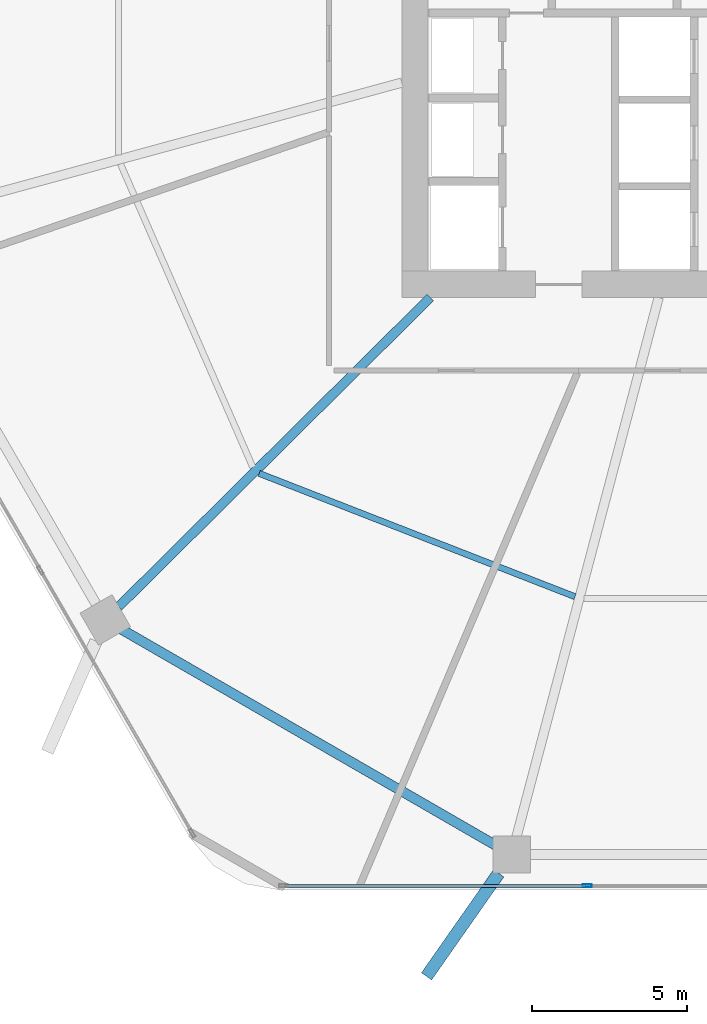
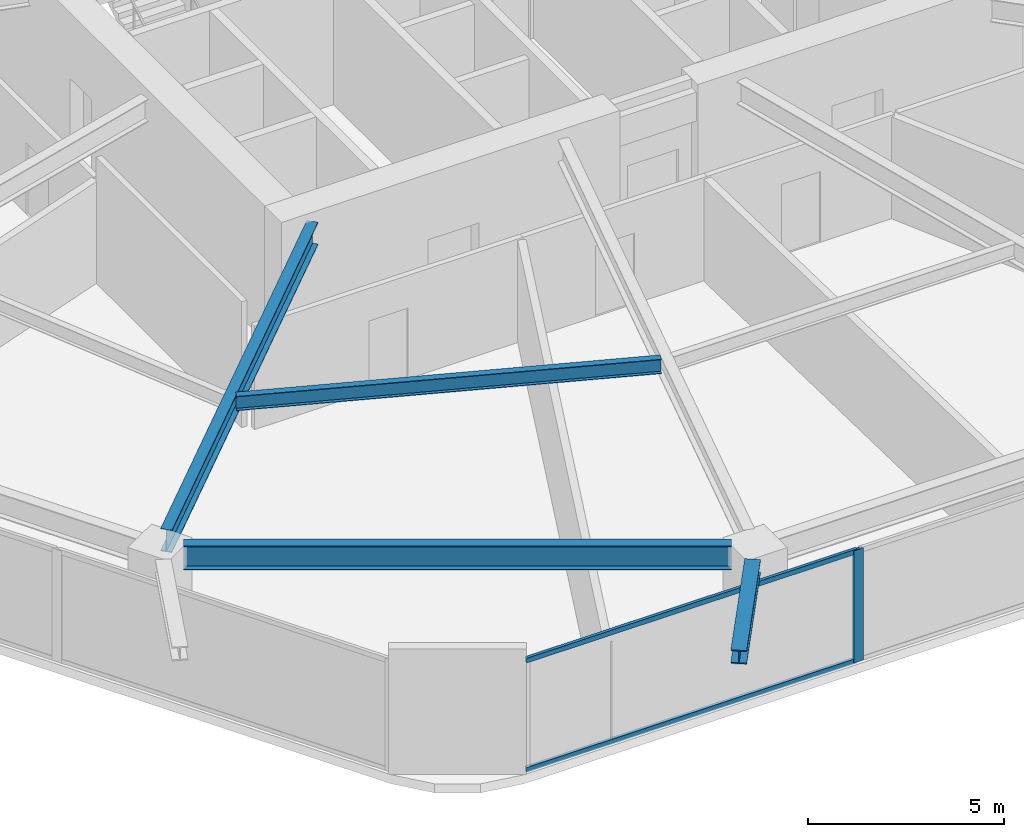
# One storey, part 3 of 25: 4 beams, 3 members, 1 element without a shape of its own.
"""IFC4 building model written with IfcOpenShell, lengths in metres."""

from ifc_helpers import new_model, si_unit, direction, frame, origin, origin_2d, place, context, subcontext, project, spatial, hollow_rectangle, i_section, extrude, material, material_profile, profile_set, type_object, element, aggregate, save


model = new_model("IFC4")

# Units and contexts
model_context = context("Model", 3, precision=1e-05, world=origin(), true_north=direction((0.0, 1.0)))
body_context = subcontext(model_context, "Body", "Model", "MODEL_VIEW")
ifc_project = project(units=[si_unit("LENGTHUNIT", "METRE"), si_unit("AREAUNIT", "SQUARE_METRE"), si_unit("VOLUMEUNIT", "CUBIC_METRE"), si_unit("PLANEANGLEUNIT", "RADIAN"), si_unit("MASSUNIT", "GRAM", prefix="KILO")], contexts=[model_context])

# Site, building, storey
site_placement = place(None, origin())
site = spatial("IfcSite", under=ifc_project, at=site_placement, CompositionType="ELEMENT")
building_placement = place(site_placement, origin())
building = spatial("IfcBuilding", under=site, at=building_placement, Name="Zuhravey Tower", CompositionType="ELEMENT")
storey_placement = place(building_placement, frame((0.0, 0.0, 54.0)))
storey = spatial("IfcBuildingStorey", under=building, at=storey_placement, Name="L13", CompositionType="ELEMENT", Elevation=54.0)

# Curtain wall, members
ifc_material_1 = material(Name="Thermally broken anodised aluminium", Category="aluminium")
curtain_wall_type = type_object("IfcCurtainWallType", Name="School Low-E Unitised Curtain Wall CW1", PredefinedType="NOTDEFINED", material=ifc_material_1)
curtain_wall_placement = place(storey_placement, origin())
curtain_wall = element("IfcCurtainWall", 1, at=curtain_wall_placement, inside=storey, type_object=curtain_wall_type, Name="L13 CW1 CW-L13-F5-1", PredefinedType="NOTDEFINED")
ifc_material_2 = material(Name="Anodised aluminium", Category="aluminium")
ifc_material_profile_1 = material_profile(ifc_material_2, hollow_rectangle(XDim=0.090087890625, YDim=0.284912109375, WallThickness=0.0048828125, at=origin_2d()), Name="ALU-RHS-90x285x5")
ifc_profile_set_1 = profile_set([ifc_material_profile_1], Name="Anodised aluminium")
member_type_1 = type_object("IfcMemberType", Name="Curtain-Wall Mullion 90x180", PredefinedType="MULLION", material=ifc_profile_set_1)
member_1_placement = place(storey_placement, frame((31.06689453125, 3.04150390625, 0.0), z_axis=(0.0, 0.0, 1.0), x_axis=(0.0, -1.0, 0.0)))
member_1 = element("IfcMember", 2, at=member_1_placement, type_object=member_type_1, Name="CW1 mullion 3", PredefinedType="MULLION", context=body_context, shape_type="SweptSolid", body=[
    extrude(hollow_rectangle(XDim=0.090087890625, YDim=0.284912109375, WallThickness=0.0048828125, at=origin_2d()), origin(), (0.0, 0.0, 1.0), 3.491943359375),
])
ifc_material_profile_2 = material_profile(ifc_material_2, hollow_rectangle(XDim=0.090087890625, YDim=0.14990234375, WallThickness=0.0048828125, at=origin_2d()), Name="ALU-RHS-90x150x5")
ifc_profile_set_2 = profile_set([ifc_material_profile_2], Name="Anodised aluminium")
member_type_2 = type_object("IfcMemberType", Name="Curtain-Wall Transom 90x150", PredefinedType="USERDEFINED", material=ifc_profile_set_2)
member_2_placement = place(storey_placement, frame((31.021728515625, 3.04150390625, 0.044921875), z_axis=(-1.0, 0.0, 0.0), x_axis=(0.0, -1.0, 0.0)))
member_2 = element("IfcMember", 3, at=member_2_placement, type_object=member_type_2, Name="CW1 transom 3.1", ObjectType="TRANSOM", PredefinedType="USERDEFINED", context=body_context, shape_type="SweptSolid", body=[
    extrude(hollow_rectangle(XDim=0.090087890625, YDim=0.14990234375, WallThickness=0.0048828125, at=origin_2d()), origin(), (0.0, 0.0, 1.0), 9.731201171875),
])
member_3_placement = place(storey_placement, frame((31.021728515625, 3.04150390625, 3.447021484375), z_axis=(-1.0, 0.0, 0.0), x_axis=(0.0, -1.0, 0.0)))
member_3 = element("IfcMember", 4, at=member_3_placement, type_object=member_type_2, Name="CW1 transom 3.2", ObjectType="TRANSOM", PredefinedType="USERDEFINED", context=body_context, shape_type="SweptSolid", body=[
    extrude(hollow_rectangle(XDim=0.090087890625, YDim=0.14990234375, WallThickness=0.0048828125, at=origin_2d()), origin(), (0.0, 0.0, 1.0), 9.731201171875),
])
aggregate(curtain_wall, [member_1, member_2, member_3])

# Beams
ifc_material_3 = material(Name="Steel SM460", Category="steel")
ifc_material_profile_3 = material_profile(ifc_material_3, i_section(OverallWidth=0.406982421875, OverallDepth=0.427978515625, WebThickness=0.02001953125, FlangeThickness=0.034912109375, at=origin_2d()), Name="H-428x407x20x35")
ifc_profile_set_3 = profile_set([ifc_material_profile_3], Name="Steel SM460")
beam_type_1 = type_object("IfcBeamType", Name="Exoskeleton Node Tie Beam H428x407", PredefinedType="BEAM", material=ifc_profile_set_3)
beam_1_placement = place(storey_placement, frame((28.20751953125, 3.4482421875, 3.7060546875), z_axis=(-0.573719899401, -0.819051571655, 0.0), x_axis=(0.819051571655, -0.573719899401, 0.0)))
element("IfcBeam", 5, at=beam_1_placement, inside=storey, type_object=beam_type_1, Name="L13 Exoskeleton Node Tie NT1-09", PredefinedType="BEAM", context=body_context, shape_type="SweptSolid", body=[
    extrude(i_section(OverallWidth=0.406982421875, OverallDepth=0.427978515625, WebThickness=0.02001953125, FlangeThickness=0.034912109375, at=origin_2d()), origin(), (0.0, 0.0, 1.0), 4.071044921875),
])
ifc_material_4 = material(Name="Steel SM355", Category="steel")
ifc_material_profile_4 = material_profile(ifc_material_4, i_section(OverallWidth=0.320068359375, OverallDepth=0.75, WebThickness=0.013916015625, FlangeThickness=0.02490234375, at=origin_2d()), Name="H-750x320x14x25")
ifc_profile_set_4 = profile_set([ifc_material_profile_4], Name="Steel SM355")
beam_type_2 = type_object("IfcBeamType", Name="Perimeter Ring Beam H750x320", PredefinedType="BEAM", material=ifc_profile_set_4)
beam_2_placement = place(storey_placement, frame((16.003173828125, 11.341552734375, 3.544921875), z_axis=(0.866029969761, -0.499992091414, 0.0), x_axis=(0.499992091414, 0.866029969761, 0.0)))
element("IfcBeam", 6, at=beam_2_placement, inside=storey, type_object=beam_type_2, Name="L13 PB1 BM-L13-PB-08", PredefinedType="BEAM", context=body_context, shape_type="SweptSolid", body=[
    extrude(i_section(OverallWidth=0.320068359375, OverallDepth=0.75, WebThickness=0.013916015625, FlangeThickness=0.02490234375, at=origin_2d()), origin(), (0.0, 0.0, 1.0), 13.977294921875),
])
ifc_material_profile_5 = material_profile(ifc_material_4, i_section(OverallWidth=0.300048828125, OverallDepth=0.699951171875, WebThickness=0.012939453125, FlangeThickness=0.02392578125, at=origin_2d()), Name="H-700x300x13x24")
ifc_profile_set_5 = profile_set([ifc_material_profile_5], Name="Steel SM355")
beam_type_3 = type_object("IfcBeamType", Name="Radial Primary Girder H700x300", PredefinedType="BEAM", material=ifc_profile_set_5)
beam_3_placement = place(storey_placement, frame((25.992919921875, 22.072021484375, 3.570068359375), z_axis=(-0.709902823282, -0.704299639, 0.0), x_axis=(0.704299639, -0.709902823282, 0.0)))
element("IfcBeam", 7, at=beam_3_placement, inside=storey, type_object=beam_type_3, Name="L13 RG1 BM-L13-RAD-08", PredefinedType="BEAM", context=body_context, shape_type="SweptSolid", body=[
    extrude(i_section(OverallWidth=0.300048828125, OverallDepth=0.699951171875, WebThickness=0.012939453125, FlangeThickness=0.02392578125, at=origin_2d()), origin(), (0.0, 0.0, 1.0), 14.204345703125),
])
ifc_material_profile_6 = material_profile(ifc_material_4, i_section(OverallWidth=0.199951171875, OverallDepth=0.449951171875, WebThickness=0.009033203125, FlangeThickness=0.013916015625, at=origin_2d()), Name="H-450x200x9x14")
ifc_profile_set_6 = profile_set([ifc_material_profile_6], Name="Steel SM355")
beam_type_4 = type_object("IfcBeamType", Name="Secondary Floor Joist H450x200", PredefinedType="JOIST", material=ifc_profile_set_6)
beam_4_placement = place(storey_placement, frame((20.4599609375, 16.38427734375, 3.695068359375), z_axis=(0.931516535886, -0.363698973562, 0.0), x_axis=(0.363698973562, 0.931516535886, 0.0)))
element("IfcBeam", 8, at=beam_4_placement, inside=storey, type_object=beam_type_4, Name="L13 SJ1 BM-L13-SJ-08-1", PredefinedType="JOIST", context=body_context, shape_type="SweptSolid", body=[
    extrude(i_section(OverallWidth=0.199951171875, OverallDepth=0.449951171875, WebThickness=0.009033203125, FlangeThickness=0.013916015625, at=origin_2d()), origin(), (0.0, 0.0, 1.0), 10.963134765625),
])

save(model, "model.ifc")
